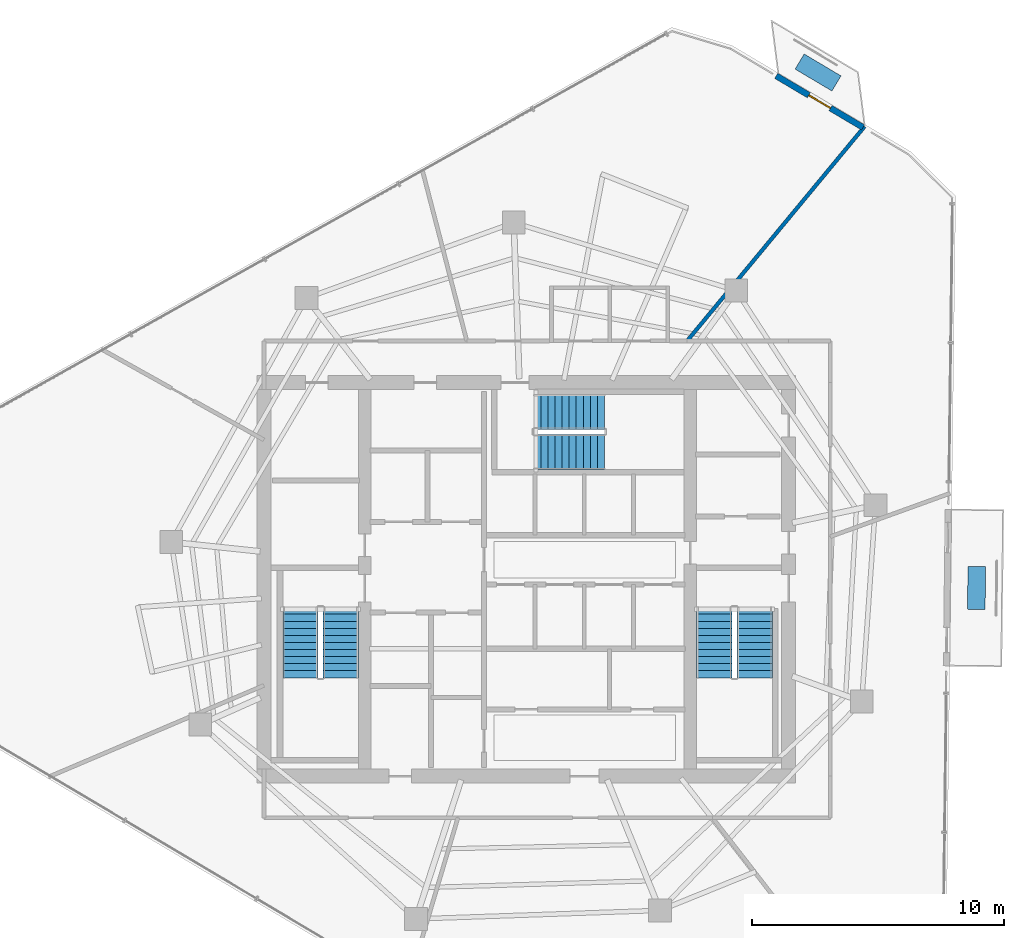
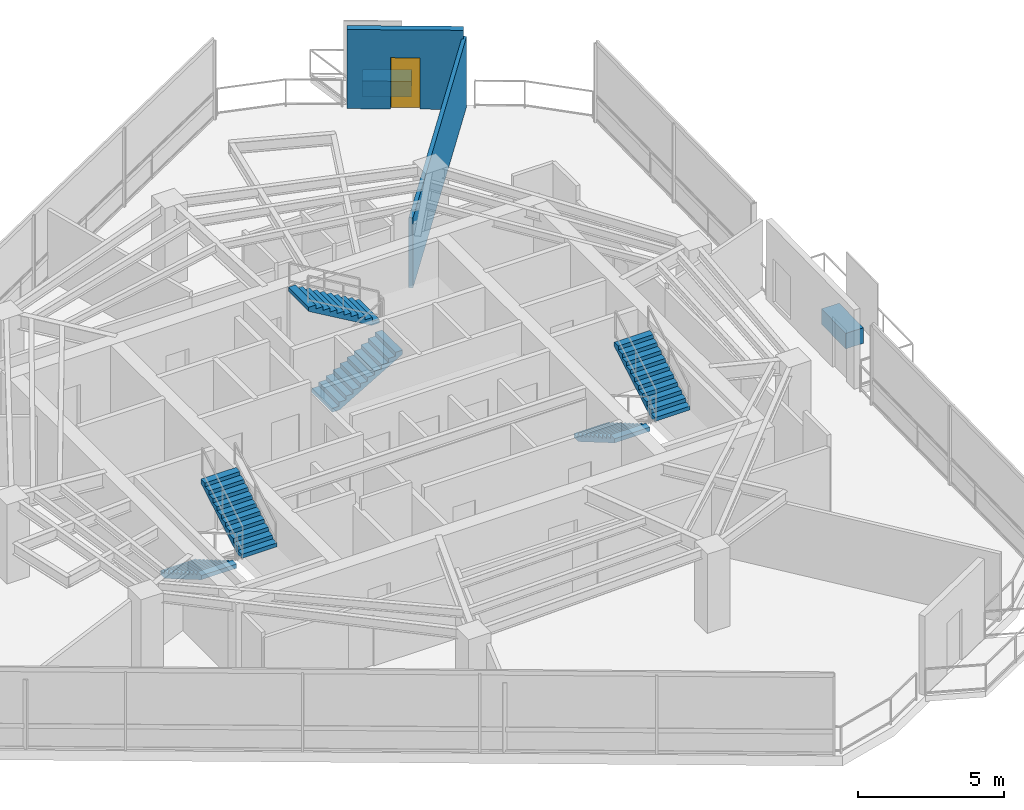
# One storey, part 16 of 18: 6 stair flights, 2 discrete accessories, 2 walls, 1 door, 1 opening, 3 elements without a shape of their own.
"""IFC4 building model written with IfcOpenShell, lengths in metres."""

import ifcopenshell
import ifcopenshell.guid

model = None  # the IFC model being written
_history = None  # IfcOwnerHistory: only IFC2X3 demands one
_inside = {}  # id of a spatial element -> (the spatial element, [elements in it])
_under = {}  # id of a project, library or spatial element -> (it, [spatial elements below it])
_declared = {}  # id of a project -> (the project, [libraries it declares])
_typed = {}  # id of a type object -> (the type object, [elements of that type])
_made_of = {}  # id of a material, layer set ... -> (it, [elements and type objects made of it])


def new_model(schema):
    """Start an empty IFC model of exactly this schema.

    Asked for "IFC4X3", IfcOpenShell would pick the latest addendum, in which some entities
    have other attributes; the version numbers below select the first issue.
    IFC2X3 requires an IfcOwnerHistory on every rooted entity: one is made here for all.
    """
    global model, _history
    if schema == "IFC4X3":
        model = ifcopenshell.file(schema_version=(4, 3, 0, 0))
    else:
        model = ifcopenshell.file(schema=schema)
    _inside.clear()
    _under.clear()
    _declared.clear()
    _typed.clear()
    _made_of.clear()
    _history = None
    if model.schema == "IFC2X3":
        org = make("IfcOrganization", Name="unknown")
        user = make(
            "IfcPersonAndOrganization",
            ThePerson=make("IfcPerson", FamilyName="unknown"),
            TheOrganization=org,
        )
        app = make(
            "IfcApplication",
            ApplicationDeveloper=org,
            Version="unknown",
            ApplicationFullName="unknown",
            ApplicationIdentifier="unknown",
        )
        _history = make(
            "IfcOwnerHistory",
            OwningUser=user,
            OwningApplication=app,
            ChangeAction="ADDED",
            CreationDate=0,
        )
    return model


def make(cls, **values):
    """One entity of the class cls with the attributes given. An attribute that is None is left unset."""
    return model.create_entity(
        cls, **{name: value for name, value in values.items() if value is not None}
    )


def rooted(cls, **values):
    """An entity with a GlobalId (a new one), such as an element, a storey or a relation."""
    return make(cls, GlobalId=ifcopenshell.guid.new(), OwnerHistory=_history, **values)


def si_unit(unit_type, name, prefix=None):
    """IfcSIUnit, for example si_unit("LENGTHUNIT", "METRE", prefix="MILLI")."""
    return make("IfcSIUnit", UnitType=unit_type, Prefix=prefix, Name=name)


def assignment(units):
    """IfcUnitAssignment: the units of a project."""
    return None if units is None else make("IfcUnitAssignment", Units=units)


def point(xyz):
    """IfcCartesianPoint."""
    return None if xyz is None else make("IfcCartesianPoint", Coordinates=xyz)


def direction(xyz):
    """IfcDirection."""
    return None if xyz is None else make("IfcDirection", DirectionRatios=xyz)


def frame(location, z_axis=None, x_axis=None):
    """IfcAxis2Placement3D, a coordinate frame: its origin and axes. An axis left out is left unset."""
    return make(
        "IfcAxis2Placement3D",
        Location=point(location),
        Axis=direction(z_axis),
        RefDirection=direction(x_axis),
    )


def frame_2d(location, x_axis=None):
    """IfcAxis2Placement2D, a coordinate frame in the plane: its origin and x axis."""
    return make(
        "IfcAxis2Placement2D", Location=point(location), RefDirection=direction(x_axis)
    )


def origin():
    """The frame at (0, 0, 0) with its axes left unset."""
    return frame((0.0, 0.0, 0.0))


def origin_2d():
    """The frame at (0, 0) in the plane with its x axis left unset."""
    return frame_2d((0.0, 0.0))


def place(relative_to, where):
    """IfcLocalPlacement: puts the frame where relative to a parent placement (None: the world)."""
    return make(
        "IfcLocalPlacement", PlacementRelTo=relative_to, RelativePlacement=where
    )


def context(
    kind, dimensions, precision=None, world=None, true_north=None, identifier=None
):
    """IfcGeometricRepresentationContext, for example the 3D "Model" context."""
    return make(
        "IfcGeometricRepresentationContext",
        ContextIdentifier=identifier,
        ContextType=kind,
        CoordinateSpaceDimension=dimensions,
        Precision=precision,
        WorldCoordinateSystem=world,
        TrueNorth=true_north,
    )


def subcontext(parent, identifier, kind, view, scale=None):
    """IfcGeometricRepresentationSubContext, for example "Body" below "Model"."""
    return make(
        "IfcGeometricRepresentationSubContext",
        ContextIdentifier=identifier,
        ContextType=kind,
        ParentContext=parent,
        TargetScale=scale,
        TargetView=view,
    )


def project(units=None, contexts=None):
    """IfcProject with its units and contexts."""
    return rooted(
        "IfcProject",
        Name="project",
        RepresentationContexts=contexts,
        UnitsInContext=assignment(units),
    )


def spatial(cls, under=None, at=None, **own):
    """A site, building, storey or space (cls), placed at a placement, below another one or the project."""
    s = rooted(cls, ObjectPlacement=at, **own)
    if under is not None:
        _under.setdefault(under.id(), (under, []))[1].append(s)
    return s


def polyline(points):
    """IfcPolyline through the points."""
    return make("IfcPolyline", Points=[point(p) for p in points])


def profile(cls, at=None, kind="AREA", **sizes):
    """A parametric profile (cls). Its sizes go by their IFC names, for example OverallWidth=200.0."""
    return make(cls, ProfileType=kind, Position=at, **sizes)


def rectangle(**sizes):
    """IfcRectangleProfileDef."""
    return profile("IfcRectangleProfileDef", **sizes)


def outline(outer, holes=None, kind="AREA"):
    """IfcArbitraryClosedProfileDef: a profile drawn as a closed curve; with holes, ...WithVoids."""
    if holes is None:
        return make("IfcArbitraryClosedProfileDef", ProfileType=kind, OuterCurve=outer)
    return make(
        "IfcArbitraryProfileDefWithVoids",
        ProfileType=kind,
        OuterCurve=outer,
        InnerCurves=holes,
    )


def extrude(swept, where, along, depth):
    """IfcExtrudedAreaSolid: the profile swept, set in the frame where, extruded along a direction by depth."""
    return make(
        "IfcExtrudedAreaSolid",
        SweptArea=swept,
        Position=where,
        ExtrudedDirection=direction(along),
        Depth=depth,
    )


def shape(context_of_items, identifier, shape_type, items):
    """IfcShapeRepresentation: the items that make up one representation, for example the "Body"."""
    return make(
        "IfcShapeRepresentation",
        ContextOfItems=context_of_items,
        RepresentationIdentifier=identifier,
        RepresentationType=shape_type,
        Items=items,
    )


def material(Name=None, Category=None):
    """IfcMaterial."""
    return make("IfcMaterial", Name=Name, Category=Category)


def layer(
    of_material, thickness, ventilated=None, Name=None, Category=None, Priority=None
):
    """IfcMaterialLayer: one layer of a wall or slab, of a material (None: an air gap)."""
    return make(
        "IfcMaterialLayer",
        Material=of_material,
        LayerThickness=thickness,
        IsVentilated=ventilated,
        Name=Name,
        Category=Category,
        Priority=Priority,
    )


def layer_set(layers, Name=None):
    """IfcMaterialLayerSet."""
    return make("IfcMaterialLayerSet", MaterialLayers=layers, LayerSetName=Name)


def made_of(thing, what):
    """Note that an element or type object is made of a material, layer set ...; save() writes the relation."""
    if what is not None:
        _made_of.setdefault(what.id(), (what, []))[1].append(thing)
    return thing


def type_object(cls, material=None, **own):
    """A type object (cls), such as IfcWallType, which elements share."""
    return made_of(rooted(cls, **own), material)


def element(
    cls,
    number,
    at=None,
    inside=None,
    cuts=None,
    type_object=None,
    material=None,
    context=None,
    identifier="Body",
    shape_type=None,
    held_by="IfcProductDefinitionShape",
    body=None,
    shapes=None,
    **own,
):
    """One element of the class cls, such as IfcWall. Its Tag is "e" and its number.

    at: its placement. inside: the storey or other place that contains it. cuts: it is an
    opening in that element (IfcRelVoidsElement). A single representation is given by context,
    identifier, shape_type and body (its items); several are given by shapes. held_by: the class
    of the entity that holds the representations. save() writes the other relations.
    """
    e = rooted(cls, Tag="e%d" % number, ObjectPlacement=at, **own)
    if body is not None:
        shapes = [shape(context, identifier, shape_type, body)]
    if shapes is not None:
        e.Representation = make(held_by, Representations=shapes)
    if inside is not None:
        _inside.setdefault(inside.id(), (inside, []))[1].append(e)
    if cuts is not None:
        rooted(
            "IfcRelVoidsElement", RelatingBuildingElement=cuts, RelatedOpeningElement=e
        )
    if type_object is not None:
        _typed.setdefault(type_object.id(), (type_object, []))[1].append(e)
    return made_of(e, material)


def fill(opening, filler):
    """IfcRelFillsElement: the door or window that sits in an opening."""
    return rooted(
        "IfcRelFillsElement",
        RelatingOpeningElement=opening,
        RelatedBuildingElement=filler,
    )


def aggregate(whole, parts):
    """IfcRelAggregates: a whole, such as a stair, and the parts it consists of."""
    return rooted("IfcRelAggregates", RelatingObject=whole, RelatedObjects=parts)


def save(model, path):
    """Write the relations noted so far, then the file.

    IfcRelAggregates (storeys below a building ...), IfcRelContainedInSpatialStructure (elements
    in a storey), IfcRelDefinesByType, IfcRelAssociatesMaterial and IfcRelDeclares: one each for
    every whole, place, type object, material and project.
    """
    for whole, parts in _under.values():
        aggregate(whole, parts)
    for where, things in _inside.values():
        rooted(
            "IfcRelContainedInSpatialStructure",
            RelatedElements=things,
            RelatingStructure=where,
        )
    for kind, things in _typed.values():
        rooted("IfcRelDefinesByType", RelatedObjects=things, RelatingType=kind)
    for what, things in _made_of.values():
        rooted("IfcRelAssociatesMaterial", RelatedObjects=things, RelatingMaterial=what)
    for by, libraries in _declared.values():
        rooted("IfcRelDeclares", RelatingContext=by, RelatedDefinitions=libraries)
    model.write(path)


model = new_model("IFC4")

# Units and contexts
model_context = context("Model", 3, precision=1e-05, world=origin(), true_north=direction((0.0, 1.0)))
body_context = subcontext(model_context, "Body", "Model", "MODEL_VIEW")
ifc_project = project(units=[si_unit("LENGTHUNIT", "METRE"), si_unit("AREAUNIT", "SQUARE_METRE"), si_unit("VOLUMEUNIT", "CUBIC_METRE"), si_unit("PLANEANGLEUNIT", "RADIAN"), si_unit("MASSUNIT", "GRAM", prefix="KILO")], contexts=[model_context])

# Site, building, storey
site_placement = place(None, origin())
site = spatial("IfcSite", under=ifc_project, at=site_placement, CompositionType="ELEMENT")
building_placement = place(site_placement, origin())
building = spatial("IfcBuilding", under=site, at=building_placement, Name="Qarnah Convention Tower", CompositionType="ELEMENT")
storey_placement = place(building_placement, frame((0.0, 0.0, 177.0)))
storey = spatial("IfcBuildingStorey", under=building, at=storey_placement, Name="L47", CompositionType="ELEMENT", Elevation=177.0)

# Wall, opening, door
ifc_material_1 = material(Name="Precast concrete C45/55", Category="concrete")
ifc_layer_1 = layer(ifc_material_1, 0.239990234375)
ifc_layer_set_1 = layer_set([ifc_layer_1], Name="Precast concrete C45/55")
wall_type_1 = type_object("IfcWallType", Name="WL-EXT-BAL-240", PredefinedType="SOLIDWALL", material=ifc_layer_set_1)
wall_1_placement = place(storey_placement, frame((47.10888671875, 46.35595703125, 0.0), z_axis=(0.0, 0.0, 1.0), x_axis=(0.859751743834, -0.510712188003, 0.0)))
wall_1 = element("IfcWall", 1, at=wall_1_placement, inside=storey, type_object=wall_type_1, Name="L47 loggia threshold wall BAL-L47-C1", PredefinedType="SOLIDWALL", context=body_context, shape_type="SweptSolid", body=[
    extrude(rectangle(XDim=4.000244140625, YDim=0.239990234375, at=frame_2d((2.0, 0.0))), origin(), (0.0, 0.0, 1.0), 3.320068359375),
])
opening_placement = place(wall_1_placement, frame((1.5, 0.0, 0.0)))
opening = element("IfcOpeningElement", 2, at=opening_placement, cuts=wall_1, Name="Opening BD-4701", PredefinedType="OPENING", context=body_context, shape_type="SweptSolid", body=[
    extrude(rectangle(XDim=1.0, YDim=2.14990234375, at=frame_2d((0.5, 1.074951171875))), frame((0.0, 0.1298828125, 0.0), z_axis=(0.0, -1.0, 0.0), x_axis=(1.0, 0.0, 0.0)), (0.0, 0.0, 1.0), 0.260009765625),
])
ifc_material_2 = material(Name="Black anodised aluminium", Category="aluminium")
door_type = type_object("IfcDoorType", Name="DT-BAL-1000", OperationType="NOTDEFINED", PredefinedType="DOOR", material=ifc_material_2)
door_placement = place(opening_placement, origin())
door = element("IfcDoor", 3, at=door_placement, inside=storey, type_object=door_type, Name="L47 balcony terrace door BAL-L47-C1", OperationType="SINGLE_SWING_LEFT", OverallHeight=2.14990234375, OverallWidth=1.0, PredefinedType="DOOR", context=body_context, shape_type="SweptSolid", body=[
    extrude(rectangle(XDim=1.0, YDim=2.14990234375, at=frame_2d((0.5, 1.074951171875))), frame((0.0, 0.02490234375, 0.0), z_axis=(0.0, -1.0, 0.0), x_axis=(1.0, 0.0, 0.0)), (0.0, 0.0, 1.0), 0.050048828125),
])
fill(opening, door)

# Wall
ifc_material_3 = material(Name="Gypsum partition board")
ifc_layer_2 = layer(ifc_material_3, 0.14990234375)
ifc_layer_set_2 = layer_set([ifc_layer_2], Name="Gypsum partition board")
wall_type_2 = type_object("IfcWallType", Name="WL-SUITE-150", PredefinedType="PARTITIONING", material=ifc_layer_set_2)
wall_2_placement = place(storey_placement, frame((50.60693359375, 44.347900390625, 0.0), z_axis=(0.0, 0.0, 1.0), x_axis=(-0.637583567769, -0.770381200518, 0.0)))
element("IfcWall", 4, at=wall_2_placement, inside=storey, type_object=wall_type_2, Name="L47 interior wall IW-L47-R-08", PredefinedType="PARTITIONING", context=body_context, shape_type="SweptSolid", body=[
    extrude(rectangle(XDim=11.03076171875, YDim=0.14990234375, at=frame_2d((5.515380859375, 0.0))), origin(), (0.0, 0.0, 1.0), 2.948974609375),
])

# Stair, stair flights
ifc_material_4 = material(Name="Concrete C50/60", Category="concrete")
stair_type = type_object("IfcStairType", Name="STR-OFF", PredefinedType="HALF_TURN_STAIR", material=ifc_material_4)
stair_1_placement = place(storey_placement, origin())
stair_1 = element("IfcStair", 5, at=stair_1_placement, inside=storey, type_object=stair_type, Name="L47 Core exit stair ST-1", PredefinedType="HALF_TURN_STAIR")
stair_flight_type = type_object("IfcStairFlightType", Name="FLT-OFF", PredefinedType="STRAIGHT", material=ifc_material_4)
stair_flight_1_placement = place(storey_placement, frame((28.25, 25.300048828125, 0.0), z_axis=(0.0, 0.0, 1.0), x_axis=(0.0, -1.0, 0.0)))
stair_flight_1 = element("IfcStairFlight", 6, at=stair_flight_1_placement, type_object=stair_flight_type, Name="ST-1 flight 1", NumberOfRisers=11, NumberOfTreads=10, PredefinedType="STRAIGHT", RiserHeight=0.163636364, TreadLength=0.28, context=body_context, shape_type="SweptSolid", body=[
    extrude(outline(polyline([(0.0, 0.0), (0.0, 0.16357421875), (0.280029296875, 0.16357421875), (0.280029296875, 0.327392578125), (0.56005859375, 0.327392578125), (0.56005859375, 0.490966796875), (0.840087890625, 0.490966796875), (0.840087890625, 0.654541015625), (1.1201171875, 0.654541015625), (1.1201171875, 0.818115234375), (1.39990234375, 0.818115234375), (1.39990234375, 0.98193359375), (1.679931640625, 0.98193359375), (1.679931640625, 1.1455078125), (1.9599609375, 1.1455078125), (1.9599609375, 1.30908203125), (2.239990234375, 1.30908203125), (2.239990234375, 1.47265625), (2.52001953125, 1.47265625), (2.52001953125, 1.636474609375), (2.800048828125, 1.636474609375), (2.800048828125, 1.800048828125), (2.800048828125, 1.462646484375), (0.297119140625, 0.0), (0.0, 0.0)])), frame((0.0, 0.699951171875, 0.0), z_axis=(0.0, -1.0, 0.0), x_axis=(1.0, 0.0, 0.0)), (0.0, 0.0, 1.0), 1.39990234375),
])
stair_flight_2_placement = place(storey_placement, frame((29.85009765625, 22.5, 1.800048828125), z_axis=(0.0, 0.0, 1.0), x_axis=(0.0, 1.0, 0.0)))
stair_flight_2 = element("IfcStairFlight", 7, at=stair_flight_2_placement, type_object=stair_flight_type, Name="ST-1 flight 2", NumberOfRisers=11, NumberOfTreads=10, PredefinedType="STRAIGHT", RiserHeight=0.163636364, TreadLength=0.28, context=body_context, shape_type="SweptSolid", body=[
    extrude(outline(polyline([(0.0, 0.0), (0.0, 0.16357421875), (0.280029296875, 0.16357421875), (0.280029296875, 0.327392578125), (0.56005859375, 0.327392578125), (0.56005859375, 0.490966796875), (0.840087890625, 0.490966796875), (0.840087890625, 0.654541015625), (1.1201171875, 0.654541015625), (1.1201171875, 0.818115234375), (1.39990234375, 0.818115234375), (1.39990234375, 0.98193359375), (1.679931640625, 0.98193359375), (1.679931640625, 1.1455078125), (1.9599609375, 1.1455078125), (1.9599609375, 1.30908203125), (2.239990234375, 1.30908203125), (2.239990234375, 1.47265625), (2.52001953125, 1.47265625), (2.52001953125, 1.636474609375), (2.800048828125, 1.636474609375), (2.800048828125, 1.800048828125), (2.800048828125, 1.462646484375), (0.297119140625, 0.0), (0.0, 0.0)])), frame((0.0, 0.699951171875, 0.0), z_axis=(0.0, -1.0, 0.0), x_axis=(1.0, 0.0, 0.0)), (0.0, 0.0, 1.0), 1.39990234375),
])
aggregate(stair_1, [stair_flight_1, stair_flight_2])

stair_2_placement = place(storey_placement, origin())
stair_2 = element("IfcStair", 8, at=stair_2_placement, inside=storey, type_object=stair_type, Name="L47 Core exit stair ST-2", PredefinedType="HALF_TURN_STAIR")
stair_flight_3_placement = place(storey_placement, frame((44.64990234375, 25.300048828125, 0.0), z_axis=(0.0, 0.0, 1.0), x_axis=(0.0, -1.0, 0.0)))
stair_flight_3 = element("IfcStairFlight", 9, at=stair_flight_3_placement, type_object=stair_flight_type, Name="ST-2 flight 1", NumberOfRisers=11, NumberOfTreads=10, PredefinedType="STRAIGHT", RiserHeight=0.163636364, TreadLength=0.28, context=body_context, shape_type="SweptSolid", body=[
    extrude(outline(polyline([(0.0, 0.0), (0.0, 0.16357421875), (0.280029296875, 0.16357421875), (0.280029296875, 0.327392578125), (0.56005859375, 0.327392578125), (0.56005859375, 0.490966796875), (0.840087890625, 0.490966796875), (0.840087890625, 0.654541015625), (1.1201171875, 0.654541015625), (1.1201171875, 0.818115234375), (1.39990234375, 0.818115234375), (1.39990234375, 0.98193359375), (1.679931640625, 0.98193359375), (1.679931640625, 1.1455078125), (1.9599609375, 1.1455078125), (1.9599609375, 1.30908203125), (2.239990234375, 1.30908203125), (2.239990234375, 1.47265625), (2.52001953125, 1.47265625), (2.52001953125, 1.636474609375), (2.800048828125, 1.636474609375), (2.800048828125, 1.800048828125), (2.800048828125, 1.462646484375), (0.297119140625, 0.0), (0.0, 0.0)])), frame((0.0, 0.699951171875, 0.0), z_axis=(0.0, -1.0, 0.0), x_axis=(1.0, 0.0, 0.0)), (0.0, 0.0, 1.0), 1.39990234375),
])
stair_flight_4_placement = place(storey_placement, frame((46.25, 22.5, 1.800048828125), z_axis=(0.0, 0.0, 1.0), x_axis=(0.0, 1.0, 0.0)))
stair_flight_4 = element("IfcStairFlight", 10, at=stair_flight_4_placement, type_object=stair_flight_type, Name="ST-2 flight 2", NumberOfRisers=11, NumberOfTreads=10, PredefinedType="STRAIGHT", RiserHeight=0.163636364, TreadLength=0.28, context=body_context, shape_type="SweptSolid", body=[
    extrude(outline(polyline([(0.0, 0.0), (0.0, 0.16357421875), (0.280029296875, 0.16357421875), (0.280029296875, 0.327392578125), (0.56005859375, 0.327392578125), (0.56005859375, 0.490966796875), (0.840087890625, 0.490966796875), (0.840087890625, 0.654541015625), (1.1201171875, 0.654541015625), (1.1201171875, 0.818115234375), (1.39990234375, 0.818115234375), (1.39990234375, 0.98193359375), (1.679931640625, 0.98193359375), (1.679931640625, 1.1455078125), (1.9599609375, 1.1455078125), (1.9599609375, 1.30908203125), (2.239990234375, 1.30908203125), (2.239990234375, 1.47265625), (2.52001953125, 1.47265625), (2.52001953125, 1.636474609375), (2.800048828125, 1.636474609375), (2.800048828125, 1.800048828125), (2.800048828125, 1.462646484375), (0.297119140625, 0.0), (0.0, 0.0)])), frame((0.0, 0.699951171875, 0.0), z_axis=(0.0, -1.0, 0.0), x_axis=(1.0, 0.0, 0.0)), (0.0, 0.0, 1.0), 1.39990234375),
])
aggregate(stair_2, [stair_flight_3, stair_flight_4])

stair_3_placement = place(storey_placement, origin())
stair_3 = element("IfcStair", 11, at=stair_3_placement, inside=storey, type_object=stair_type, Name="L47 Core exit stair ST-3", PredefinedType="HALF_TURN_STAIR")
stair_flight_5_placement = place(storey_placement, frame((37.5, 31.449951171875, 0.0), z_axis=(0.0, 0.0, 1.0), x_axis=(1.0, 0.0, 0.0)))
stair_flight_5 = element("IfcStairFlight", 12, at=stair_flight_5_placement, type_object=stair_flight_type, Name="ST-3 flight 1", NumberOfRisers=11, NumberOfTreads=10, PredefinedType="STRAIGHT", RiserHeight=0.163636364, TreadLength=0.28, context=body_context, shape_type="SweptSolid", body=[
    extrude(outline(polyline([(0.0, 0.0), (0.0, 0.16357421875), (0.280029296875, 0.16357421875), (0.280029296875, 0.327392578125), (0.56005859375, 0.327392578125), (0.56005859375, 0.490966796875), (0.840087890625, 0.490966796875), (0.840087890625, 0.654541015625), (1.1201171875, 0.654541015625), (1.1201171875, 0.818115234375), (1.39990234375, 0.818115234375), (1.39990234375, 0.98193359375), (1.679931640625, 0.98193359375), (1.679931640625, 1.1455078125), (1.9599609375, 1.1455078125), (1.9599609375, 1.30908203125), (2.239990234375, 1.30908203125), (2.239990234375, 1.47265625), (2.52001953125, 1.47265625), (2.52001953125, 1.636474609375), (2.800048828125, 1.636474609375), (2.800048828125, 1.800048828125), (2.800048828125, 1.462646484375), (0.297119140625, 0.0), (0.0, 0.0)])), frame((0.0, 0.699951171875, 0.0), z_axis=(0.0, -1.0, 0.0), x_axis=(1.0, 0.0, 0.0)), (0.0, 0.0, 1.0), 1.39990234375),
])
stair_flight_6_placement = place(storey_placement, frame((40.300048828125, 33.050048828125, 1.800048828125), z_axis=(0.0, 0.0, 1.0), x_axis=(-1.0, 0.0, 0.0)))
stair_flight_6 = element("IfcStairFlight", 13, at=stair_flight_6_placement, type_object=stair_flight_type, Name="ST-3 flight 2", NumberOfRisers=11, NumberOfTreads=10, PredefinedType="STRAIGHT", RiserHeight=0.163636364, TreadLength=0.28, context=body_context, shape_type="SweptSolid", body=[
    extrude(outline(polyline([(0.0, 0.0), (0.0, 0.16357421875), (0.280029296875, 0.16357421875), (0.280029296875, 0.327392578125), (0.56005859375, 0.327392578125), (0.56005859375, 0.490966796875), (0.840087890625, 0.490966796875), (0.840087890625, 0.654541015625), (1.1201171875, 0.654541015625), (1.1201171875, 0.818115234375), (1.39990234375, 0.818115234375), (1.39990234375, 0.98193359375), (1.679931640625, 0.98193359375), (1.679931640625, 1.1455078125), (1.9599609375, 1.1455078125), (1.9599609375, 1.30908203125), (2.239990234375, 1.30908203125), (2.239990234375, 1.47265625), (2.52001953125, 1.47265625), (2.52001953125, 1.636474609375), (2.800048828125, 1.636474609375), (2.800048828125, 1.800048828125), (2.800048828125, 1.462646484375), (0.297119140625, 0.0), (0.0, 0.0)])), frame((0.0, 0.699951171875, 0.0), z_axis=(0.0, -1.0, 0.0), x_axis=(1.0, 0.0, 0.0)), (0.0, 0.0, 1.0), 1.39990234375),
])
aggregate(stair_3, [stair_flight_5, stair_flight_6])

# Discrete accessories
discrete_accessory_type = type_object("IfcDiscreteAccessoryType", Name="ACC-PLANTER-900", PredefinedType="USERDEFINED", material=ifc_material_1)
for number, where, z_axis, x_axis, name in (
    (14, (48.764892578125, 46.489990234375, 0.0), (0.0, 0.0, 1.0), (-0.859584834096, 0.510993065504, 0.0), "L47 irrigated desert balcony PLANTER BAL-L47-C1"),
    (15, (55.047119140625, 26.06201171875, 0.0), (0.0, 0.0, 1.0), (0.012566039883, 0.999921044204, 0.0), "L47 irrigated desert balcony PLANTER SG-L47"),
):
    element("IfcDiscreteAccessory", number, at=place(storey_placement, frame(where, z_axis=z_axis, x_axis=x_axis)), inside=storey, type_object=discrete_accessory_type, Name=name, ObjectType="PLANTER", PredefinedType="USERDEFINED", context=body_context, shape_type="SweptSolid", body=[
        extrude(rectangle(XDim=1.699951171875, YDim=0.699951171875, at=origin_2d()), origin(), (0.0, 0.0, 1.0), 0.64990234375),
    ])

save(model, "model.ifc")
